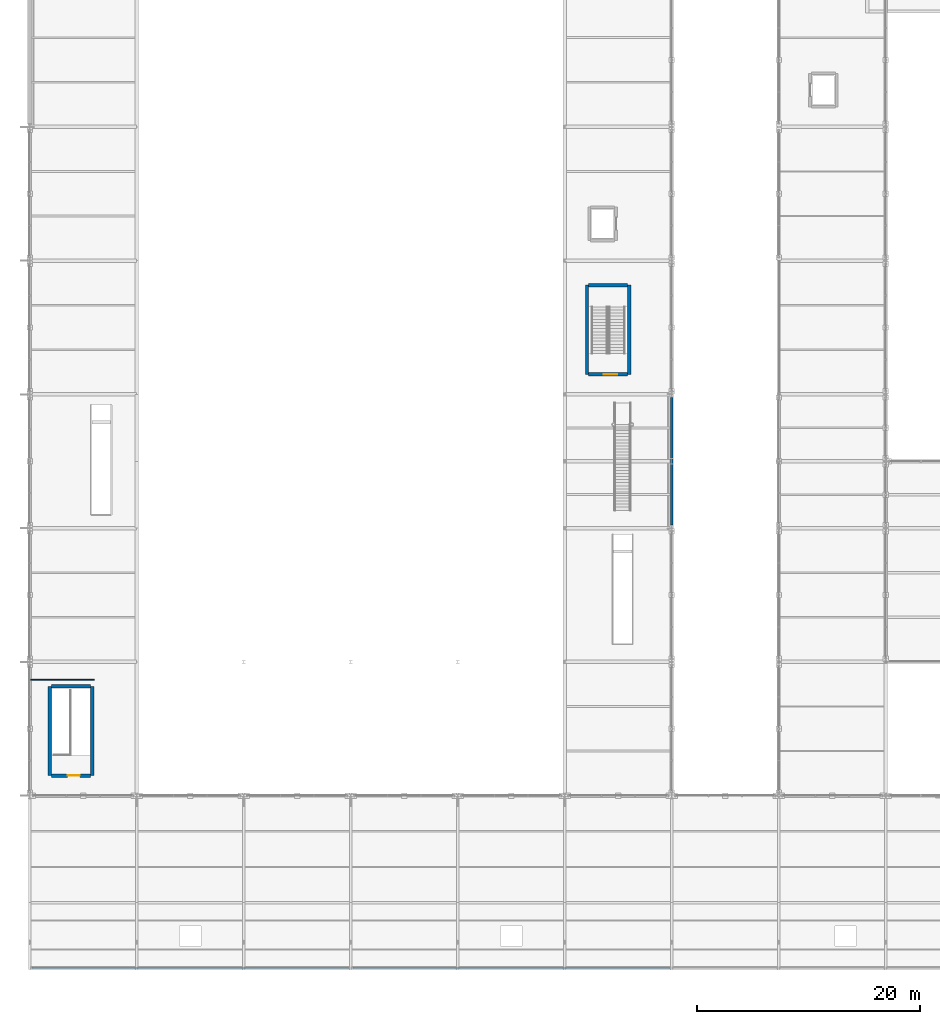
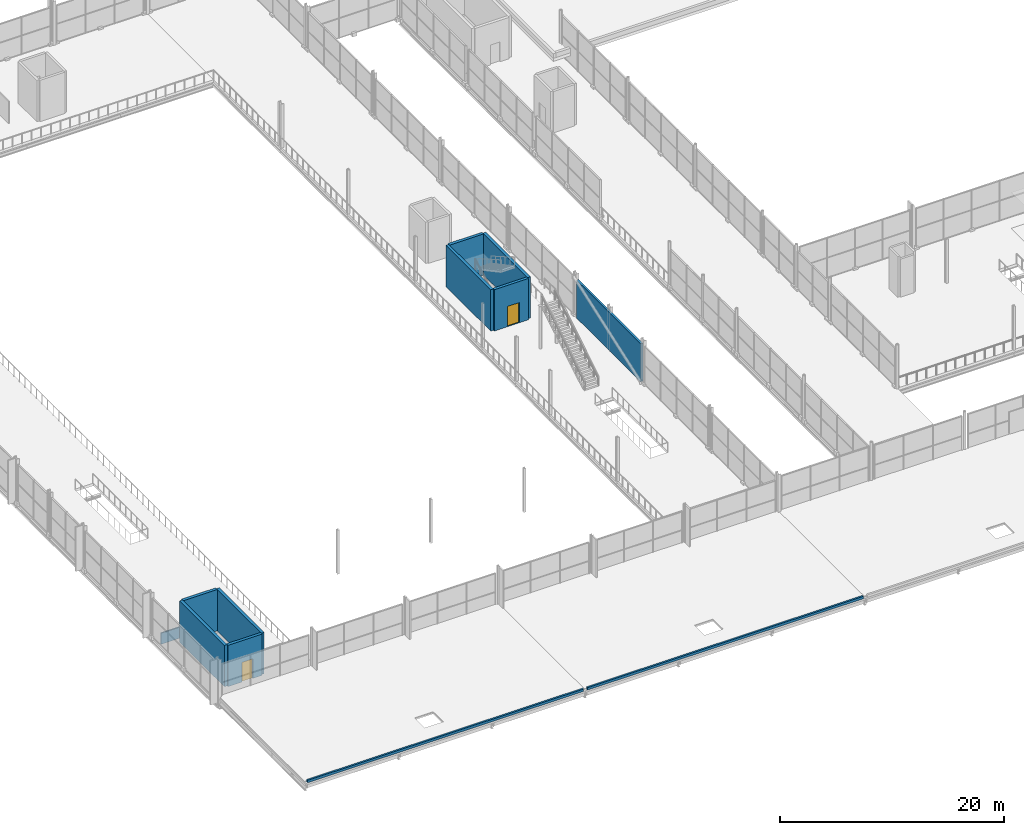
# One storey, part 137 of 159: 12 walls, 2 doors, 2 openings.
"""IFC4 building model written with IfcOpenShell, lengths in metres."""

from ifc_helpers import new_model, si_unit, direction, frame, frame_2d, origin, place, context, subcontext, project, spatial, rectangle, extrude, material, layer, layer_set, type_object, element, fill, save


model = new_model("IFC4")

# Units and contexts
model_context = context("Model", 3, precision=1e-05, world=origin(), true_north=direction((0.0, 1.0)))
body_context = subcontext(model_context, "Body", "Model", "MODEL_VIEW")
ifc_project = project(units=[si_unit("LENGTHUNIT", "METRE"), si_unit("AREAUNIT", "SQUARE_METRE"), si_unit("VOLUMEUNIT", "CUBIC_METRE"), si_unit("PLANEANGLEUNIT", "RADIAN"), si_unit("MASSUNIT", "GRAM", prefix="KILO")], contexts=[model_context])

# Site, building, storey
site_placement = place(None, origin())
site = spatial("IfcSite", under=ifc_project, at=site_placement, CompositionType="ELEMENT")
building_placement = place(site_placement, origin())
building = spatial("IfcBuilding", under=site, at=building_placement, Name="Merenkruunu Market Hall", CompositionType="ELEMENT")
storey_placement = place(building_placement, frame((0.0, 0.0, 5.39990234375)))
storey = spatial("IfcBuildingStorey", under=building, at=storey_placement, Name="L01", CompositionType="ELEMENT", Elevation=5.39990234375)

# Walls
ifc_material_1 = material(Name="Acoustic mineral wool panel")
ifc_layer_1 = layer(ifc_material_1, 0.219970703125)
ifc_layer_set_1 = layer_set([ifc_layer_1], Name="Acoustic mineral wool panel")
wall_type_1 = type_object("IfcWallType", Name="Interior Partition Wall FW01", PredefinedType="PARTITIONING", material=ifc_layer_set_1)
wall_1_placement = place(storey_placement, frame((57.60009765625, 39.8798828125, 0.0), z_axis=(0.0, 0.0, 1.0), x_axis=(0.0, 1.0, 0.0)))
element("IfcWall", 1, at=wall_1_placement, inside=storey, type_object=wall_type_1, Name="WALL-EXT-L01-0021", PredefinedType="PARTITIONING", context=body_context, shape_type="SweptSolid", body=[
    extrude(rectangle(XDim=11.440185546875, YDim=0.219970703125, at=frame_2d((5.72021484375, 0.0))), origin(), (0.0, 0.0, 1.0), 4.135009765625),
])
ifc_material_2 = material(Name="Lacquered Nordic birch stall divider", Category="wood")
ifc_layer_2 = layer(ifc_material_2, 0.1201171875)
ifc_layer_set_2 = layer_set([ifc_layer_2], Name="Lacquered Nordic birch stall divider")
wall_type_2 = type_object("IfcWallType", Name="Interior Partition Wall PW03", PredefinedType="PARTITIONING", material=ifc_layer_set_2)
wall_2_placement = place(storey_placement, frame((0.08203125, 26.0, 0.0), z_axis=(0.0, 0.0, 1.0), x_axis=(1.0, 0.0, 0.0)))
element("IfcWall", 2, at=wall_2_placement, inside=storey, type_object=wall_type_2, Name="WALL-INT-L01-0053", PredefinedType="PARTITIONING", context=body_context, shape_type="SweptSolid", body=[
    extrude(rectangle(XDim=5.718017578125, YDim=0.1201171875, at=frame_2d((2.85888671875, 0.0))), origin(), (0.0, 0.0, 1.0), 1.2001953125),
])
ifc_material_3 = material(Name="High-albedo white parapet Steel S355J2", Category="steel")
ifc_layer_3 = layer(ifc_material_3, 0.179931640625)
ifc_layer_set_3 = layer_set([ifc_layer_3], Name="High-albedo white parapet Steel S355J2")
wall_type_3 = type_object("IfcWallType", Name="Roof Parapet Upstand PRW02", PredefinedType="PARAPET", material=ifc_layer_set_3)
wall_3_placement = place(storey_placement, frame((0.199951171875, 0.1201171875, 0.60009765625), z_axis=(0.0, 0.0, 1.0), x_axis=(1.0, 0.0, 0.0)))
element("IfcWall", 3, at=wall_3_placement, inside=storey, type_object=wall_type_3, Name="PAR-V6-1", PredefinedType="PARAPET", context=body_context, shape_type="SweptSolid", body=[
    extrude(rectangle(XDim=28.400146484375, YDim=0.179931640625, at=frame_2d((14.2001953125, 0.0))), origin(), (0.0, 0.0, 1.0), 0.260009765625),
])
wall_4_placement = place(storey_placement, frame((29.0, 0.1201171875, 0.60009765625), z_axis=(0.0, 0.0, 1.0), x_axis=(1.0, 0.0, 0.0)))
element("IfcWall", 4, at=wall_4_placement, inside=storey, type_object=wall_type_3, Name="PAR-V6-2", PredefinedType="PARAPET", context=body_context, shape_type="SweptSolid", body=[
    extrude(rectangle(XDim=28.39990234375, YDim=0.179931640625, at=frame_2d((14.199951171875, 0.0))), origin(), (0.0, 0.0, 1.0), 0.260009765625),
])

# Wall, opening, door
ifc_material_4 = material(Name="Concrete C35/45", Category="concrete")
ifc_layer_4 = layer(ifc_material_4, 0.300048828125)
ifc_layer_set_4 = layer_set([ifc_layer_4], Name="Concrete C35/45")
wall_type_4 = type_object("IfcWallType", Name="Structural Shear Wall SW02", PredefinedType="SHEAR", material=ifc_layer_set_4)
wall_5_placement = place(storey_placement, frame((5.449951171875, 17.39990234375, 0.0), z_axis=(0.0, 0.0, 1.0), x_axis=(-1.0, 0.0, 0.0)))
wall_5 = element("IfcWall", 5, at=wall_5_placement, inside=storey, type_object=wall_type_4, Name="WALL-CORE-K2-L01-S", PredefinedType="SHEAR", context=body_context, shape_type="SweptSolid", body=[
    extrude(rectangle(XDim=3.5, YDim=0.300048828125, at=frame_2d((1.75, 0.0))), origin(), (0.0, 0.0, 1.0), 4.5),
])
opening_1_placement = place(wall_5_placement, frame((0.949951171875, 0.0, 0.0)))
opening_1 = element("IfcOpeningElement", 6, at=opening_1_placement, cuts=wall_5, Name="Opening FD02", PredefinedType="OPENING", context=body_context, shape_type="SweptSolid", body=[
    extrude(rectangle(XDim=1.10009765625, YDim=2.14990234375, at=frame_2d((0.550048828125, 1.074951171875))), frame((0.0, 0.16015625, 0.0), z_axis=(0.0, -1.0, 0.0), x_axis=(1.0, 0.0, 0.0)), (0.0, 0.0, 1.0), 0.320068359375),
])
ifc_material_5 = material(Name="Powder-coated aluminium", Category="aluminium")
door_type_1 = type_object("IfcDoorType", Name="Fire Compartment Door FD02", OperationType="NOTDEFINED", PredefinedType="DOOR", material=ifc_material_5)
door_1_placement = place(opening_1_placement, origin())
door_1 = element("IfcDoor", 7, at=door_1_placement, inside=storey, type_object=door_type_1, Name="DR-L01-103", OperationType="SINGLE_SWING_LEFT", OverallHeight=2.14990234375, OverallWidth=1.10009765625, PredefinedType="DOOR", context=body_context, shape_type="SweptSolid", body=[
    extrude(rectangle(XDim=1.10009765625, YDim=2.14990234375, at=frame_2d((0.550048828125, 1.074951171875))), frame((0.0, 0.02490234375, 0.0), z_axis=(0.0, -1.0, 0.0), x_axis=(1.0, 0.0, 0.0)), (0.0, 0.0, 1.0), 0.050048828125),
])
fill(opening_1, door_1)

# Walls
wall_6_placement = place(storey_placement, frame((5.60009765625, 17.39990234375, 0.0), z_axis=(0.0, 0.0, 1.0), x_axis=(0.0, 1.0, 0.0)))
element("IfcWall", 8, at=wall_6_placement, inside=storey, type_object=wall_type_4, Name="WALL-CORE-K2-L01-E", PredefinedType="SHEAR", context=body_context, shape_type="SweptSolid", body=[
    extrude(rectangle(XDim=8.0, YDim=0.300048828125, at=frame_2d((4.0, 0.0))), origin(), (0.0, 0.0, 1.0), 4.5),
])
wall_7_placement = place(storey_placement, frame((5.449951171875, 25.39990234375, 0.0), z_axis=(0.0, 0.0, 1.0), x_axis=(-1.0, 0.0, 0.0)))
element("IfcWall", 9, at=wall_7_placement, inside=storey, type_object=wall_type_4, Name="WALL-CORE-K2-L01-N", PredefinedType="SHEAR", context=body_context, shape_type="SweptSolid", body=[
    extrude(rectangle(XDim=3.5, YDim=0.300048828125, at=frame_2d((1.75, 0.0))), origin(), (0.0, 0.0, 1.0), 4.5),
])
wall_8_placement = place(storey_placement, frame((1.800048828125, 25.39990234375, 0.0), z_axis=(0.0, 0.0, 1.0), x_axis=(0.0, -1.0, 0.0)))
element("IfcWall", 10, at=wall_8_placement, inside=storey, type_object=wall_type_4, Name="WALL-CORE-K2-L01-W", PredefinedType="SHEAR", context=body_context, shape_type="SweptSolid", body=[
    extrude(rectangle(XDim=8.0, YDim=0.300048828125, at=frame_2d((4.0, 0.0))), origin(), (0.0, 0.0, 1.0), 4.5),
])

# Wall, opening, door
wall_9_placement = place(storey_placement, frame((53.64990234375, 53.39990234375, 0.0), z_axis=(0.0, 0.0, 1.0), x_axis=(-1.0, 0.0, 0.0)))
wall_9 = element("IfcWall", 11, at=wall_9_placement, inside=storey, type_object=wall_type_4, Name="WALL-CORE-K3-L01-S", PredefinedType="SHEAR", context=body_context, shape_type="SweptSolid", body=[
    extrude(rectangle(XDim=3.5, YDim=0.300048828125, at=frame_2d((1.75, 0.0))), origin(), (0.0, 0.0, 1.0), 4.489990234375),
])
opening_2_placement = place(wall_9_placement, frame((0.949951171875, 0.0, 0.0)))
opening_2 = element("IfcOpeningElement", 12, at=opening_2_placement, cuts=wall_9, Name="Opening FD03", PredefinedType="OPENING", context=body_context, shape_type="SweptSolid", body=[
    extrude(rectangle(XDim=1.199951171875, YDim=2.199951171875, at=frame_2d((0.60009765625, 1.10009765625))), frame((0.0, 0.16015625, 0.0), z_axis=(0.0, -1.0, 0.0), x_axis=(1.0, 0.0, 0.0)), (0.0, 0.0, 1.0), 0.320068359375),
])
door_type_2 = type_object("IfcDoorType", Name="Fire Compartment Door FD03", OperationType="NOTDEFINED", PredefinedType="DOOR", material=ifc_material_5)
door_2_placement = place(opening_2_placement, origin())
door_2 = element("IfcDoor", 13, at=door_2_placement, inside=storey, type_object=door_type_2, Name="DR-L01-106", OperationType="SINGLE_SWING_RIGHT", OverallHeight=2.199951171875, OverallWidth=1.199951171875, PredefinedType="DOOR", context=body_context, shape_type="SweptSolid", body=[
    extrude(rectangle(XDim=1.199951171875, YDim=2.199951171875, at=frame_2d((0.60009765625, 1.10009765625))), frame((0.0, 0.02490234375, 0.0), z_axis=(0.0, -1.0, 0.0), x_axis=(1.0, 0.0, 0.0)), (0.0, 0.0, 1.0), 0.050048828125),
])
fill(opening_2, door_2)

# Walls
wall_10_placement = place(storey_placement, frame((53.800048828125, 53.39990234375, 0.0), z_axis=(0.0, 0.0, 1.0), x_axis=(0.0, 1.0, 0.0)))
element("IfcWall", 14, at=wall_10_placement, inside=storey, type_object=wall_type_4, Name="WALL-CORE-K3-L01-E", PredefinedType="SHEAR", context=body_context, shape_type="SweptSolid", body=[
    extrude(rectangle(XDim=8.0, YDim=0.300048828125, at=frame_2d((4.0, 0.0))), origin(), (0.0, 0.0, 1.0), 4.489990234375),
])
wall_11_placement = place(storey_placement, frame((53.64990234375, 61.39990234375, 0.0), z_axis=(0.0, 0.0, 1.0), x_axis=(-1.0, 0.0, 0.0)))
element("IfcWall", 15, at=wall_11_placement, inside=storey, type_object=wall_type_4, Name="WALL-CORE-K3-L01-N", PredefinedType="SHEAR", context=body_context, shape_type="SweptSolid", body=[
    extrude(rectangle(XDim=3.5, YDim=0.300048828125, at=frame_2d((1.75, 0.0))), origin(), (0.0, 0.0, 1.0), 4.489990234375),
])
wall_12_placement = place(storey_placement, frame((50.0, 61.39990234375, 0.0), z_axis=(0.0, 0.0, 1.0), x_axis=(0.0, -1.0, 0.0)))
element("IfcWall", 16, at=wall_12_placement, inside=storey, type_object=wall_type_4, Name="WALL-CORE-K3-L01-W", PredefinedType="SHEAR", context=body_context, shape_type="SweptSolid", body=[
    extrude(rectangle(XDim=8.0, YDim=0.300048828125, at=frame_2d((4.0, 0.0))), origin(), (0.0, 0.0, 1.0), 4.489990234375),
])

save(model, "model.ifc")
